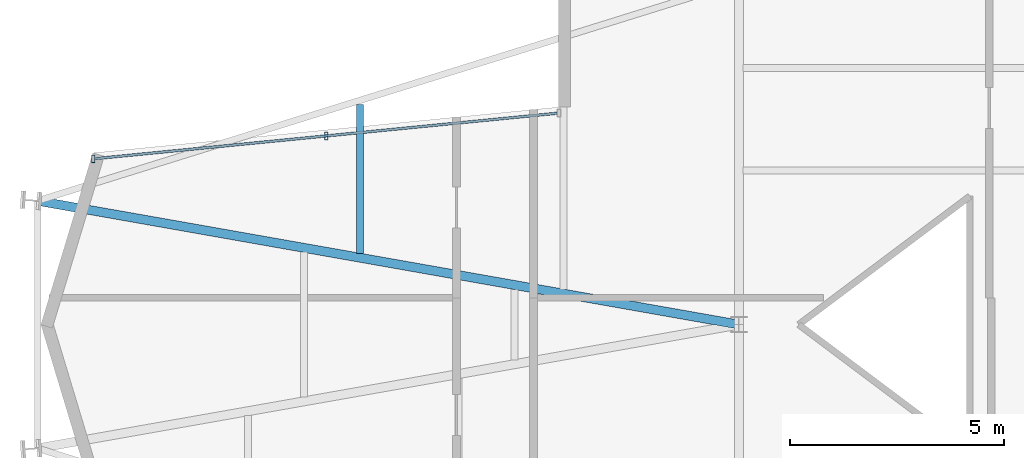
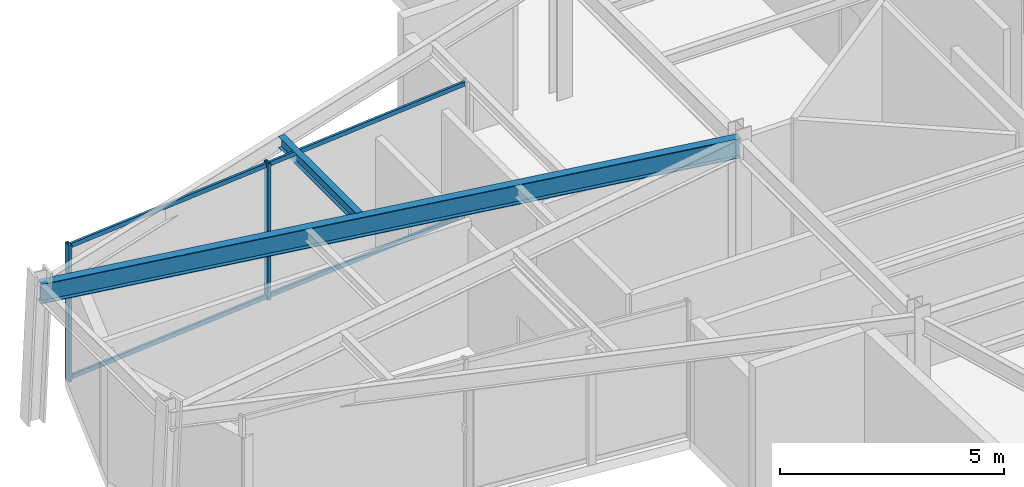
# One storey, part 8 of 23: 4 members, 2 beams, 1 element without a shape of its own.
"""IFC4 building model written with IfcOpenShell, lengths in metres."""

from ifc_helpers import new_model, si_unit, direction, frame, origin, origin_2d, place, context, subcontext, project, spatial, hollow_rectangle, i_section, extrude, material, layer, layer_set, material_profile, profile_set, type_object, element, aggregate, save


model = new_model("IFC4")

# Units and contexts
model_context = context("Model", 3, precision=1e-05, world=origin(), true_north=direction((0.0, 1.0)))
body_context = subcontext(model_context, "Body", "Model", "MODEL_VIEW")
ifc_project = project(units=[si_unit("LENGTHUNIT", "METRE"), si_unit("AREAUNIT", "SQUARE_METRE"), si_unit("VOLUMEUNIT", "CUBIC_METRE"), si_unit("PLANEANGLEUNIT", "RADIAN"), si_unit("MASSUNIT", "GRAM", prefix="KILO")], contexts=[model_context])

# Site, building, storey
site_placement = place(None, origin())
site = spatial("IfcSite", under=ifc_project, at=site_placement, CompositionType="ELEMENT")
building_placement = place(site_placement, origin())
building = spatial("IfcBuilding", under=site, at=building_placement, Name="Veymaron Broadcast Tower", CompositionType="ELEMENT")
storey_placement = place(building_placement, frame((0.0, 0.0, 252.60009765625)))
storey = spatial("IfcBuildingStorey", under=building, at=storey_placement, Name="L59", CompositionType="ELEMENT", Elevation=252.60009765625)

# Beams
ifc_material_1 = material(Name="Structural steel ASTM A992 Gr 50", Category="steel")
ifc_material_profile_1 = material_profile(ifc_material_1, i_section(OverallWidth=0.2099609375, OverallDepth=0.537109375, WebThickness=0.010986328125, FlangeThickness=0.017333984375, at=origin_2d()), Name="W530X101")
ifc_profile_set_1 = profile_set([ifc_material_profile_1], Name="Structural steel ASTM A992 Gr 50")
beam_type_1 = type_object("IfcBeamType", Name="BM-FG3", PredefinedType="BEAM", material=ifc_profile_set_1)
beam_1_placement = place(storey_placement, frame((14.810302734375, 26.89208984375, 3.46142578125), z_axis=(0.984785626246, -0.173773618074, 0.0), x_axis=(0.173773618074, 0.984785626246, 0.0)))
element("IfcBeam", 1, at=beam_1_placement, inside=storey, type_object=beam_type_1, Name="L59 primary structural floor girder", PredefinedType="BEAM", context=body_context, shape_type="SweptSolid", body=[
    extrude(i_section(OverallWidth=0.2099609375, OverallDepth=0.537109375, WebThickness=0.010986328125, FlangeThickness=0.017333984375, at=origin_2d()), origin(), (0.0, 0.0, 1.0), 16.642822265625),
])
ifc_material_profile_2 = material_profile(ifc_material_1, i_section(OverallWidth=0.1650390625, OverallDepth=0.31005859375, WebThickness=0.005859375, FlangeThickness=0.009765625, at=origin_2d()), Name="W310X39")
ifc_profile_set_2 = profile_set([ifc_material_profile_2], Name="Structural steel ASTM A992 Gr 50")
beam_type_2 = type_object("IfcBeamType", Name="BM-JS3", PredefinedType="JOIST", material=ifc_profile_set_2)
beam_2_placement = place(storey_placement, frame((22.349609375, 25.66162109375, 3.574951171875), z_axis=(0.0, 1.0, 0.0), x_axis=(-1.0, 0.0, 0.0)))
element("IfcBeam", 2, at=beam_2_placement, inside=storey, type_object=beam_type_2, Name="L59 Arm-A secondary joist 1N", PredefinedType="JOIST", context=body_context, shape_type="SweptSolid", body=[
    extrude(i_section(OverallWidth=0.1650390625, OverallDepth=0.31005859375, WebThickness=0.005859375, FlangeThickness=0.009765625, at=origin_2d()), origin(), (0.0, 0.0, 1.0), 3.47998046875),
])

# Curtain wall, members
ifc_material_2 = material(Name="Anodised aluminium AA 6063-T6 and laminated low-E dark glass", Category="aluminium")
ifc_layer = layer(ifc_material_2, 0.179931640625)
ifc_layer_set = layer_set([ifc_layer], Name="Anodised aluminium AA 6063-T6 and laminated low-E dark glass")
curtain_wall_type = type_object("IfcCurtainWallType", Name="CW-SYS-05", PredefinedType="NOTDEFINED", material=ifc_layer_set)
curtain_wall_placement = place(storey_placement, origin())
curtain_wall = element("IfcCurtainWall", 3, at=curtain_wall_placement, inside=storey, type_object=curtain_wall_type, Name="L59 dark-glass curtain wall CW-L59-E11-1", PredefinedType="NOTDEFINED")
ifc_material_3 = material(Name="Anodised aluminium AA 6063-T6", Category="aluminium")
ifc_material_profile_3 = material_profile(ifc_material_3, hollow_rectangle(XDim=0.074951171875, YDim=0.179931640625, WallThickness=0.0048828125, at=origin_2d()), Name="AL180X75X5")
ifc_profile_set_3 = profile_set([ifc_material_profile_3], Name="Anodised aluminium AA 6063-T6")
member_type_1 = type_object("IfcMemberType", Name="CW-MUL-02", PredefinedType="MULLION", material=ifc_profile_set_3)
member_1_placement = place(storey_placement, frame((21.5556640625, 28.40869140625, 0.0), z_axis=(0.0, 0.0, 1.0), x_axis=(1.0, 0.0, 0.0)))
member_1 = element("IfcMember", 4, at=member_1_placement, type_object=member_type_1, Name="CW-L59-E11-1 mullion 1", PredefinedType="MULLION", context=body_context, shape_type="SweptSolid", body=[
    extrude(hollow_rectangle(XDim=0.074951171875, YDim=0.179931640625, WallThickness=0.0048828125, at=origin_2d()), origin(), (0.0, 0.0, 1.0), 3.72998046875),
])
member_2_placement = place(storey_placement, frame((16.11376953125, 27.873291015625, 0.0), z_axis=(0.0, 0.0, 1.0), x_axis=(1.0, 0.0, 0.0)))
member_2 = element("IfcMember", 5, at=member_2_placement, type_object=member_type_1, Name="CW-L59-E11-1 mullion 2", PredefinedType="MULLION", context=body_context, shape_type="SweptSolid", body=[
    extrude(hollow_rectangle(XDim=0.074951171875, YDim=0.179931640625, WallThickness=0.0048828125, at=origin_2d()), origin(), (0.0, 0.0, 1.0), 3.72998046875),
])
ifc_material_profile_4 = material_profile(ifc_material_3, hollow_rectangle(XDim=0.06005859375, YDim=0.1201171875, WallThickness=0.00390625, at=origin_2d()), Name="AL120X60X4")
ifc_profile_set_4 = profile_set([ifc_material_profile_4], Name="Anodised aluminium AA 6063-T6")
member_type_2 = type_object("IfcMemberType", Name="CW-TRN-02", PredefinedType="USERDEFINED", material=ifc_profile_set_4)
member_3_placement = place(storey_placement, frame((26.947998046875, 28.93896484375, 0.06982421875), z_axis=(-0.995199353608, -0.097868516788, 0.0), x_axis=(0.097868516788, -0.995199353608, 0.0)))
member_3 = element("IfcMember", 6, at=member_3_placement, type_object=member_type_2, Name="CW-L59-E11-1 transom B", ObjectType="TRANSOM", PredefinedType="USERDEFINED", context=body_context, shape_type="SweptSolid", body=[
    extrude(hollow_rectangle(XDim=0.06005859375, YDim=0.1201171875, WallThickness=0.00390625, at=origin_2d()), origin(), (0.0, 0.0, 1.0), 10.83642578125),
])
member_4_placement = place(storey_placement, frame((26.947998046875, 28.93896484375, 3.659912109375), z_axis=(-0.995199353608, -0.097868516788, 0.0), x_axis=(0.097868516788, -0.995199353608, 0.0)))
member_4 = element("IfcMember", 7, at=member_4_placement, type_object=member_type_2, Name="CW-L59-E11-1 transom T", ObjectType="TRANSOM", PredefinedType="USERDEFINED", context=body_context, shape_type="SweptSolid", body=[
    extrude(hollow_rectangle(XDim=0.06005859375, YDim=0.1201171875, WallThickness=0.00390625, at=origin_2d()), origin(), (0.0, 0.0, 1.0), 10.83642578125),
])
aggregate(curtain_wall, [member_1, member_2, member_3, member_4])

save(model, "model.ifc")
